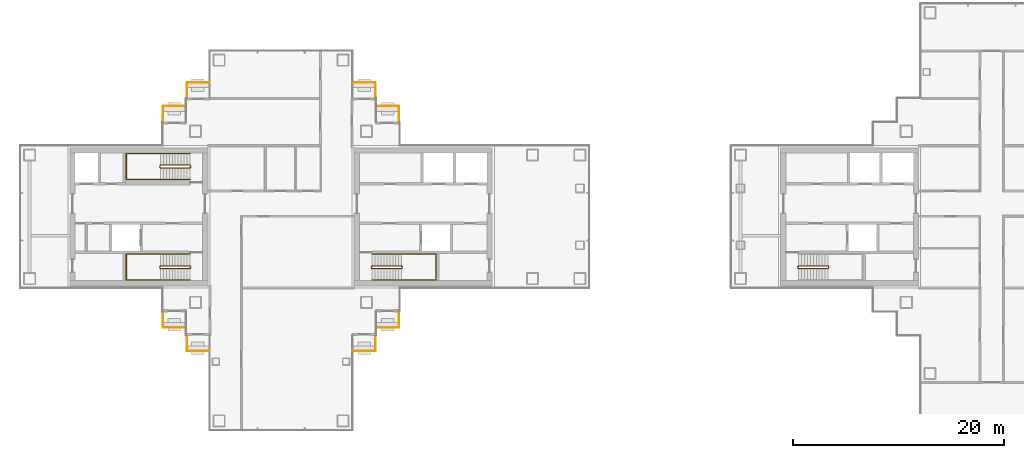
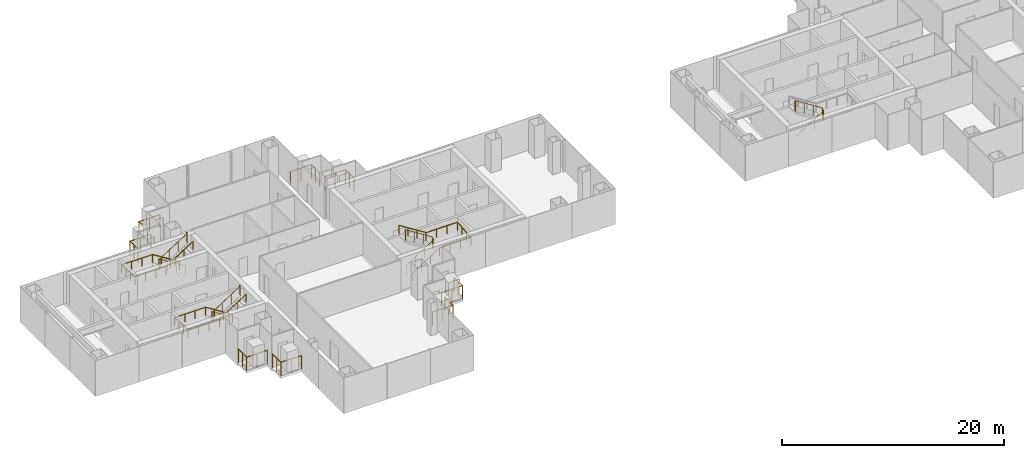
# One storey, part 14 of 16: 15 railings.
"""IFC4 building model written with IfcOpenShell, lengths in metres."""

from ifc_helpers import new_model, si_unit, direction, frame, origin, origin_2d, place, context, subcontext, project, spatial, circle, extrude, material, type_object, element, save


model = new_model("IFC4")

# Units and contexts
model_context = context("Model", 3, precision=1e-05, world=origin(), true_north=direction((0.0, 1.0)))
body_context = subcontext(model_context, "Body", "Model", "MODEL_VIEW")
ifc_project = project(units=[si_unit("LENGTHUNIT", "METRE"), si_unit("AREAUNIT", "SQUARE_METRE"), si_unit("VOLUMEUNIT", "CUBIC_METRE"), si_unit("PLANEANGLEUNIT", "RADIAN"), si_unit("MASSUNIT", "GRAM", prefix="KILO")], contexts=[model_context])

# Site, building, storey
site_placement = place(None, origin())
site = spatial("IfcSite", under=ifc_project, at=site_placement, CompositionType="ELEMENT")
building_placement = place(site_placement, origin())
building = spatial("IfcBuilding", under=site, at=building_placement, Name="Shamsa Quay Exchange Towers", CompositionType="ELEMENT")
storey_placement = place(building_placement, frame((0.0, 0.0, 150.60009765625)))
storey = spatial("IfcBuildingStorey", under=building, at=storey_placement, Name="L35", CompositionType="ELEMENT", Elevation=150.60009765625)

# Railings
ifc_material_1 = material(Name="Steel S355, black powder-coated", Category="steel")
railing_type_1 = type_object("IfcRailingType", Name="BALCONY GUARD 1500", PredefinedType="GUARDRAIL", material=ifc_material_1)
for number, where, name in (
    (1, (-22.550048828125, 9.02099609375, 0.0), "Balcony guard T1-PKEN L35"),
    (2, (-24.800048828125, 11.27099609375, 0.0), "Balcony guard T1-PKEN L35"),
):
    element("IfcRailing", number, at=place(storey_placement, frame(where)), inside=storey, type_object=railing_type_1, Name=name, PredefinedType="GUARDRAIL", context=body_context, shape_type="SweptSolid", body=[
        extrude(circle(Radius=0.02392578125, at=origin_2d()), frame((0.0, 0.0, 1.47607421875), z_axis=(0.0, 1.0, 0.0), x_axis=(-1.0, 0.0, 0.0)), (0.0, 0.0, 1.0), 1.47900390625),
        extrude(circle(Radius=0.02392578125, at=origin_2d()), frame((0.0, 1.47900390625, 1.47607421875), z_axis=(-1.0, 0.0, 0.0), x_axis=(0.0, -1.0, 0.0)), (0.0, 0.0, 1.0), 2.161865234375),
        extrude(circle(Radius=0.02099609375, at=origin_2d()), origin(), (0.0, 0.0, 1.0), 1.451904296875),
        extrude(circle(Radius=0.02099609375, at=origin_2d()), frame((0.0, 0.739501953125, 0.0)), (0.0, 0.0, 1.0), 1.451904296875),
        extrude(circle(Radius=0.02099609375, at=origin_2d()), frame((0.0, 1.47900390625, 0.0)), (0.0, 0.0, 1.0), 1.451904296875),
        extrude(circle(Radius=0.02099609375, at=origin_2d()), frame((-1.0810546875, 1.47900390625, 0.0)), (0.0, 0.0, 1.0), 1.451904296875),
        extrude(circle(Radius=0.02099609375, at=origin_2d()), frame((-2.161865234375, 1.47900390625, 0.0)), (0.0, 0.0, 1.0), 1.451904296875),
    ])
for number, where, name in (
    (3, (-24.7119140625, -10.5, 0.0), "Balcony guard T1-PKES L35"),
    (4, (-26.9619140625, -12.75, 0.0), "Balcony guard T1-PKES L35"),
):
    element("IfcRailing", number, at=place(storey_placement, frame(where)), inside=storey, type_object=railing_type_1, Name=name, PredefinedType="GUARDRAIL", context=body_context, shape_type="SweptSolid", body=[
        extrude(circle(Radius=0.02392578125, at=origin_2d()), frame((0.0, 0.0, 1.47607421875), z_axis=(1.0, 0.0, 0.0), x_axis=(0.0, 1.0, 0.0)), (0.0, 0.0, 1.0), 2.161865234375),
        extrude(circle(Radius=0.02392578125, at=origin_2d()), frame((2.161865234375, 0.0, 1.47607421875), z_axis=(0.0, 1.0, 0.0), x_axis=(-1.0, 0.0, 0.0)), (0.0, 0.0, 1.0), 1.47900390625),
        extrude(circle(Radius=0.02099609375, at=origin_2d()), origin(), (0.0, 0.0, 1.0), 1.451904296875),
        extrude(circle(Radius=0.02099609375, at=origin_2d()), frame((1.0810546875, 0.0, 0.0)), (0.0, 0.0, 1.0), 1.451904296875),
        extrude(circle(Radius=0.02099609375, at=origin_2d()), frame((2.161865234375, 0.0, 0.0)), (0.0, 0.0, 1.0), 1.451904296875),
        extrude(circle(Radius=0.02099609375, at=origin_2d()), frame((2.161865234375, 0.739501953125, 0.0)), (0.0, 0.0, 1.0), 1.451904296875),
        extrude(circle(Radius=0.02099609375, at=origin_2d()), frame((2.161865234375, 1.47900390625, 0.0)), (0.0, 0.0, 1.0), 1.451904296875),
    ])
for number, where, name in (
    (5, (-40.5380859375, 12.75, 0.0), "Balcony guard T1-PKWN L35"),
    (6, (-42.7880859375, 10.5, 0.0), "Balcony guard T1-PKWN L35"),
):
    element("IfcRailing", number, at=place(storey_placement, frame(where)), inside=storey, type_object=railing_type_1, Name=name, PredefinedType="GUARDRAIL", context=body_context, shape_type="SweptSolid", body=[
        extrude(circle(Radius=0.02392578125, at=origin_2d()), frame((0.0, 0.0, 1.47607421875), z_axis=(-1.0, 0.0, 0.0), x_axis=(0.0, -1.0, 0.0)), (0.0, 0.0, 1.0), 2.161865234375),
        extrude(circle(Radius=0.02392578125, at=origin_2d()), frame((-2.161865234375, 0.0, 1.47607421875), z_axis=(0.0, -1.0, 0.0), x_axis=(1.0, 0.0, 0.0)), (0.0, 0.0, 1.0), 1.47900390625),
        extrude(circle(Radius=0.02099609375, at=origin_2d()), origin(), (0.0, 0.0, 1.0), 1.451904296875),
        extrude(circle(Radius=0.02099609375, at=origin_2d()), frame((-1.0810546875, 0.0, 0.0)), (0.0, 0.0, 1.0), 1.451904296875),
        extrude(circle(Radius=0.02099609375, at=origin_2d()), frame((-2.161865234375, 0.0, 0.0)), (0.0, 0.0, 1.0), 1.451904296875),
        extrude(circle(Radius=0.02099609375, at=origin_2d()), frame((-2.161865234375, -0.739501953125, 0.0)), (0.0, 0.0, 1.0), 1.451904296875),
        extrude(circle(Radius=0.02099609375, at=origin_2d()), frame((-2.161865234375, -1.47900390625, 0.0)), (0.0, 0.0, 1.0), 1.451904296875),
    ])
for number, where, name in (
    (7, (-44.949951171875, -9.02099609375, 0.0), "Balcony guard T1-PKWS L35"),
    (8, (-42.699951171875, -11.27099609375, 0.0), "Balcony guard T1-PKWS L35"),
):
    element("IfcRailing", number, at=place(storey_placement, frame(where)), inside=storey, type_object=railing_type_1, Name=name, PredefinedType="GUARDRAIL", context=body_context, shape_type="SweptSolid", body=[
        extrude(circle(Radius=0.02392578125, at=origin_2d()), frame((0.0, 0.0, 1.47607421875), z_axis=(0.0, -1.0, 0.0), x_axis=(1.0, 0.0, 0.0)), (0.0, 0.0, 1.0), 1.47900390625),
        extrude(circle(Radius=0.02392578125, at=origin_2d()), frame((0.0, -1.47900390625, 1.47607421875), z_axis=(1.0, 0.0, 0.0), x_axis=(0.0, 1.0, 0.0)), (0.0, 0.0, 1.0), 2.161865234375),
        extrude(circle(Radius=0.02099609375, at=origin_2d()), origin(), (0.0, 0.0, 1.0), 1.451904296875),
        extrude(circle(Radius=0.02099609375, at=origin_2d()), frame((0.0, -0.739501953125, 0.0)), (0.0, 0.0, 1.0), 1.451904296875),
        extrude(circle(Radius=0.02099609375, at=origin_2d()), frame((0.0, -1.47900390625, 0.0)), (0.0, 0.0, 1.0), 1.451904296875),
        extrude(circle(Radius=0.02099609375, at=origin_2d()), frame((1.0810546875, -1.47900390625, 0.0)), (0.0, 0.0, 1.0), 1.451904296875),
        extrude(circle(Radius=0.02099609375, at=origin_2d()), frame((2.161865234375, -1.47900390625, 0.0)), (0.0, 0.0, 1.0), 1.451904296875),
    ])
ifc_material_2 = material(Name="Stainless steel", Category="steel")
railing_type_2 = type_object("IfcRailingType", Name="STAIR GUARD 1100", PredefinedType="GUARDRAIL", material=ifc_material_2)
railing_1_placement = place(storey_placement, frame((-25.10009765625, -4.89990234375, 0.17724609375)))
element("IfcRailing", 9, at=railing_1_placement, inside=storey, type_object=railing_type_2, Name="L35 ST1 stair guard 1", PredefinedType="GUARDRAIL", context=body_context, shape_type="SweptSolid", body=[
    extrude(circle(Radius=0.02392578125, at=origin_2d()), frame((0.0, 0.0, 1.076171875), z_axis=(0.844908973607, 0.0, 0.534910110503), x_axis=(0.0, 1.0, 0.0)), (0.0, 0.0, 1.0), 3.31396484375),
    extrude(circle(Radius=0.02392578125, at=origin_2d()), frame((2.800048828125, 0.0, 2.8486328125), z_axis=(0.708833529934, 0.705375805398, 0.0), x_axis=(-0.705375805398, 0.708833529934, 0.0)), (0.0, 0.0, 1.0), 0.070556640625),
    extrude(circle(Radius=0.02392578125, at=origin_2d()), frame((2.85009765625, 0.0498046875, 2.8486328125), z_axis=(0.0, 1.0, 0.0), x_axis=(-1.0, 0.0, 0.0)), (0.0, 0.0, 1.0), 0.150146484375),
    extrude(circle(Radius=0.02392578125, at=origin_2d()), frame((2.85009765625, 0.199951171875, 2.8486328125), z_axis=(-0.262233686654, 0.262233686654, 0.928691007369), x_axis=(-0.707106781187, -0.707106781187, 0.0)), (0.0, 0.0, 1.0), 0.19091796875),
    extrude(circle(Radius=0.02392578125, at=origin_2d()), frame((2.800048828125, 0.25, 3.02587890625), z_axis=(-0.844908973607, 0.0, 0.534910110503), x_axis=(0.0, -1.0, 0.0)), (0.0, 0.0, 1.0), 3.31396484375),
    extrude(circle(Radius=0.02392578125, at=origin_2d()), frame((0.0, 0.25, 4.798828125), z_axis=(-0.24142163986, -0.970420317083, 0.0), x_axis=(0.970420317083, -0.24142163986, 0.0)), (0.0, 0.0, 1.0), 0.206298828125),
    extrude(circle(Radius=0.02392578125, at=origin_2d()), frame((-0.0498046875, 0.0498046875, 4.798828125), z_axis=(0.0, 1.0, 0.0), x_axis=(-1.0, 0.0, 0.0)), (0.0, 0.0, 1.0), 0.150146484375),
    extrude(circle(Radius=0.02099609375, at=origin_2d()), origin(), (0.0, 0.0, 1.0), 1.052001953125),
    extrude(circle(Radius=0.02099609375, at=origin_2d()), frame((0.933349609375, 0.0, 0.5908203125)), (0.0, 0.0, 1.0), 1.052001953125),
    extrude(circle(Radius=0.02099609375, at=origin_2d()), frame((1.86669921875, 0.0, 1.181884765625)), (0.0, 0.0, 1.0), 1.052001953125),
    extrude(circle(Radius=0.02099609375, at=origin_2d()), frame((2.800048828125, 0.0, 1.772705078125)), (0.0, 0.0, 1.0), 1.052001953125),
    extrude(circle(Radius=0.02099609375, at=origin_2d()), frame((2.85009765625, 0.0498046875, 1.772705078125)), (0.0, 0.0, 1.0), 1.052001953125),
    extrude(circle(Radius=0.02099609375, at=origin_2d()), frame((2.85009765625, 0.199951171875, 1.772705078125)), (0.0, 0.0, 1.0), 1.052001953125),
    extrude(circle(Radius=0.02099609375, at=origin_2d()), frame((2.800048828125, 0.25, 1.949951171875)), (0.0, 0.0, 1.0), 1.052001953125),
    extrude(circle(Radius=0.02099609375, at=origin_2d()), frame((1.86669921875, 0.25, 2.540771484375)), (0.0, 0.0, 1.0), 1.052001953125),
    extrude(circle(Radius=0.02099609375, at=origin_2d()), frame((0.933349609375, 0.25, 3.1318359375)), (0.0, 0.0, 1.0), 1.052001953125),
    extrude(circle(Radius=0.02099609375, at=origin_2d()), frame((0.0, 0.25, 3.72265625)), (0.0, 0.0, 1.0), 1.052001953125),
    extrude(circle(Radius=0.02099609375, at=origin_2d()), frame((-0.0498046875, 0.0498046875, 3.72265625)), (0.0, 0.0, 1.0), 1.052001953125),
    extrude(circle(Radius=0.02099609375, at=origin_2d()), frame((-0.0498046875, 0.199951171875, 3.72265625)), (0.0, 0.0, 1.0), 1.052001953125),
])
railing_2_placement = place(storey_placement, frame((-42.39990234375, -4.64990234375, 0.17724609375)))
element("IfcRailing", 10, at=railing_2_placement, inside=storey, type_object=railing_type_2, Name="L35 ST2 stair guard 1", PredefinedType="GUARDRAIL", context=body_context, shape_type="SweptSolid", body=[
    extrude(circle(Radius=0.02392578125, at=origin_2d()), frame((0.0, 0.0, 1.076171875), z_axis=(-0.844908973607, 0.0, 0.534910110503), x_axis=(0.0, -1.0, 0.0)), (0.0, 0.0, 1.0), 3.31396484375),
    extrude(circle(Radius=0.02392578125, at=origin_2d()), frame((-2.800048828125, 0.0, 2.8486328125), z_axis=(-0.707106781187, -0.707106781187, 0.0), x_axis=(0.707106781187, -0.707106781187, 0.0)), (0.0, 0.0, 1.0), 0.07080078125),
    extrude(circle(Radius=0.02392578125, at=origin_2d()), frame((-2.85009765625, -0.050048828125, 2.8486328125), z_axis=(0.0, -1.0, 0.0), x_axis=(1.0, 0.0, 0.0)), (0.0, 0.0, 1.0), 0.150146484375),
    extrude(circle(Radius=0.02392578125, at=origin_2d()), frame((-2.85009765625, -0.2001953125, 2.8486328125), z_axis=(0.262321481514, -0.261041864531, 0.929001929653), x_axis=(0.705375805398, 0.708833529934, 0.0)), (0.0, 0.0, 1.0), 0.190673828125),
    extrude(circle(Radius=0.02392578125, at=origin_2d()), frame((-2.800048828125, -0.25, 3.02587890625), z_axis=(0.844908973607, 0.0, 0.534910110503), x_axis=(0.0, 1.0, 0.0)), (0.0, 0.0, 1.0), 3.31396484375),
    extrude(circle(Radius=0.02392578125, at=origin_2d()), frame((0.0, -0.25, 4.798828125), z_axis=(0.241699205484, 0.970351222016, 0.0), x_axis=(-0.970351222016, 0.241699205484, 0.0)), (0.0, 0.0, 1.0), 0.2060546875),
    extrude(circle(Radius=0.02392578125, at=origin_2d()), frame((0.0498046875, -0.050048828125, 4.798828125), z_axis=(0.0, -1.0, 0.0), x_axis=(1.0, 0.0, 0.0)), (0.0, 0.0, 1.0), 0.150146484375),
    extrude(circle(Radius=0.02099609375, at=origin_2d()), origin(), (0.0, 0.0, 1.0), 1.052001953125),
    extrude(circle(Radius=0.02099609375, at=origin_2d()), frame((-0.933349609375, 0.0, 0.5908203125)), (0.0, 0.0, 1.0), 1.052001953125),
    extrude(circle(Radius=0.02099609375, at=origin_2d()), frame((-1.86669921875, 0.0, 1.181884765625)), (0.0, 0.0, 1.0), 1.052001953125),
    extrude(circle(Radius=0.02099609375, at=origin_2d()), frame((-2.800048828125, 0.0, 1.772705078125)), (0.0, 0.0, 1.0), 1.052001953125),
    extrude(circle(Radius=0.02099609375, at=origin_2d()), frame((-2.85009765625, -0.050048828125, 1.772705078125)), (0.0, 0.0, 1.0), 1.052001953125),
    extrude(circle(Radius=0.02099609375, at=origin_2d()), frame((-2.85009765625, -0.2001953125, 1.772705078125)), (0.0, 0.0, 1.0), 1.052001953125),
    extrude(circle(Radius=0.02099609375, at=origin_2d()), frame((-2.800048828125, -0.25, 1.949951171875)), (0.0, 0.0, 1.0), 1.052001953125),
    extrude(circle(Radius=0.02099609375, at=origin_2d()), frame((-1.86669921875, -0.25, 2.540771484375)), (0.0, 0.0, 1.0), 1.052001953125),
    extrude(circle(Radius=0.02099609375, at=origin_2d()), frame((-0.933349609375, -0.25, 3.1318359375)), (0.0, 0.0, 1.0), 1.052001953125),
    extrude(circle(Radius=0.02099609375, at=origin_2d()), frame((0.0, -0.25, 3.72265625)), (0.0, 0.0, 1.0), 1.052001953125),
    extrude(circle(Radius=0.02099609375, at=origin_2d()), frame((0.0498046875, -0.050048828125, 3.72265625)), (0.0, 0.0, 1.0), 1.052001953125),
    extrude(circle(Radius=0.02099609375, at=origin_2d()), frame((0.0498046875, -0.2001953125, 3.72265625)), (0.0, 0.0, 1.0), 1.052001953125),
])
railing_3_placement = place(storey_placement, frame((-42.39990234375, 4.89990234375, 0.17724609375)))
element("IfcRailing", 11, at=railing_3_placement, inside=storey, type_object=railing_type_2, Name="L35 ST3 stair guard 1", PredefinedType="GUARDRAIL", context=body_context, shape_type="SweptSolid", body=[
    extrude(circle(Radius=0.02392578125, at=origin_2d()), frame((0.0, 0.0, 1.076171875), z_axis=(-0.844908973607, 0.0, 0.534910110503), x_axis=(0.0, -1.0, 0.0)), (0.0, 0.0, 1.0), 3.31396484375),
    extrude(circle(Radius=0.02392578125, at=origin_2d()), frame((-2.800048828125, 0.0, 2.8486328125), z_axis=(-0.708833529934, -0.705375805398, 0.0), x_axis=(0.705375805398, -0.708833529934, 0.0)), (0.0, 0.0, 1.0), 0.070556640625),
    extrude(circle(Radius=0.02392578125, at=origin_2d()), frame((-2.85009765625, -0.0498046875, 2.8486328125), z_axis=(0.0, -1.0, 0.0), x_axis=(1.0, 0.0, 0.0)), (0.0, 0.0, 1.0), 0.150146484375),
    extrude(circle(Radius=0.02392578125, at=origin_2d()), frame((-2.85009765625, -0.199951171875, 2.8486328125), z_axis=(0.262233686654, -0.262233686654, 0.928691007369), x_axis=(0.707106781187, 0.707106781187, 0.0)), (0.0, 0.0, 1.0), 0.19091796875),
    extrude(circle(Radius=0.02392578125, at=origin_2d()), frame((-2.800048828125, -0.25, 3.02587890625), z_axis=(0.844908973607, 0.0, 0.534910110503), x_axis=(0.0, 1.0, 0.0)), (0.0, 0.0, 1.0), 3.31396484375),
    extrude(circle(Radius=0.02392578125, at=origin_2d()), frame((0.0, -0.25, 4.798828125), z_axis=(0.24142163986, 0.970420317083, 0.0), x_axis=(-0.970420317083, 0.24142163986, 0.0)), (0.0, 0.0, 1.0), 0.206298828125),
    extrude(circle(Radius=0.02392578125, at=origin_2d()), frame((0.0498046875, -0.0498046875, 4.798828125), z_axis=(0.0, -1.0, 0.0), x_axis=(1.0, 0.0, 0.0)), (0.0, 0.0, 1.0), 0.150146484375),
    extrude(circle(Radius=0.02099609375, at=origin_2d()), origin(), (0.0, 0.0, 1.0), 1.052001953125),
    extrude(circle(Radius=0.02099609375, at=origin_2d()), frame((-0.933349609375, 0.0, 0.5908203125)), (0.0, 0.0, 1.0), 1.052001953125),
    extrude(circle(Radius=0.02099609375, at=origin_2d()), frame((-1.86669921875, 0.0, 1.181884765625)), (0.0, 0.0, 1.0), 1.052001953125),
    extrude(circle(Radius=0.02099609375, at=origin_2d()), frame((-2.800048828125, 0.0, 1.772705078125)), (0.0, 0.0, 1.0), 1.052001953125),
    extrude(circle(Radius=0.02099609375, at=origin_2d()), frame((-2.85009765625, -0.0498046875, 1.772705078125)), (0.0, 0.0, 1.0), 1.052001953125),
    extrude(circle(Radius=0.02099609375, at=origin_2d()), frame((-2.85009765625, -0.199951171875, 1.772705078125)), (0.0, 0.0, 1.0), 1.052001953125),
    extrude(circle(Radius=0.02099609375, at=origin_2d()), frame((-2.800048828125, -0.25, 1.949951171875)), (0.0, 0.0, 1.0), 1.052001953125),
    extrude(circle(Radius=0.02099609375, at=origin_2d()), frame((-1.86669921875, -0.25, 2.540771484375)), (0.0, 0.0, 1.0), 1.052001953125),
    extrude(circle(Radius=0.02099609375, at=origin_2d()), frame((-0.933349609375, -0.25, 3.1318359375)), (0.0, 0.0, 1.0), 1.052001953125),
    extrude(circle(Radius=0.02099609375, at=origin_2d()), frame((0.0, -0.25, 3.72265625)), (0.0, 0.0, 1.0), 1.052001953125),
    extrude(circle(Radius=0.02099609375, at=origin_2d()), frame((0.0498046875, -0.0498046875, 3.72265625)), (0.0, 0.0, 1.0), 1.052001953125),
    extrude(circle(Radius=0.02099609375, at=origin_2d()), frame((0.0498046875, -0.199951171875, 3.72265625)), (0.0, 0.0, 1.0), 1.052001953125),
])
railing_4_placement = place(storey_placement, frame((15.39990234375, -4.89990234375, 0.17724609375)))
element("IfcRailing", 12, at=railing_4_placement, inside=storey, type_object=railing_type_2, Name="L35 ST4 stair guard 1", PredefinedType="GUARDRAIL", context=body_context, shape_type="SweptSolid", body=[
    extrude(circle(Radius=0.02392578125, at=origin_2d()), frame((0.0, 0.0, 1.076171875), z_axis=(0.844908973607, 0.0, 0.534910110503), x_axis=(0.0, 1.0, 0.0)), (0.0, 0.0, 1.0), 3.31396484375),
    extrude(circle(Radius=0.02392578125, at=origin_2d()), frame((2.800048828125, 0.0, 2.8486328125), z_axis=(0.708833529934, 0.705375805398, 0.0), x_axis=(-0.705375805398, 0.708833529934, 0.0)), (0.0, 0.0, 1.0), 0.070556640625),
    extrude(circle(Radius=0.02392578125, at=origin_2d()), frame((2.85009765625, 0.0498046875, 2.8486328125), z_axis=(0.0, 1.0, 0.0), x_axis=(-1.0, 0.0, 0.0)), (0.0, 0.0, 1.0), 0.150146484375),
    extrude(circle(Radius=0.02392578125, at=origin_2d()), frame((2.85009765625, 0.199951171875, 2.8486328125), z_axis=(-0.262233686654, 0.262233686654, 0.928691007369), x_axis=(-0.707106781187, -0.707106781187, 0.0)), (0.0, 0.0, 1.0), 0.19091796875),
    extrude(circle(Radius=0.02392578125, at=origin_2d()), frame((2.800048828125, 0.25, 3.02587890625), z_axis=(-0.844908973607, 0.0, 0.534910110503), x_axis=(0.0, -1.0, 0.0)), (0.0, 0.0, 1.0), 3.31396484375),
    extrude(circle(Radius=0.02392578125, at=origin_2d()), frame((0.0, 0.25, 4.798828125), z_axis=(-0.24142163986, -0.970420317083, 0.0), x_axis=(0.970420317083, -0.24142163986, 0.0)), (0.0, 0.0, 1.0), 0.206298828125),
    extrude(circle(Radius=0.02392578125, at=origin_2d()), frame((-0.0498046875, 0.0498046875, 4.798828125), z_axis=(0.0, 1.0, 0.0), x_axis=(-1.0, 0.0, 0.0)), (0.0, 0.0, 1.0), 0.150146484375),
    extrude(circle(Radius=0.02099609375, at=origin_2d()), origin(), (0.0, 0.0, 1.0), 1.052001953125),
    extrude(circle(Radius=0.02099609375, at=origin_2d()), frame((0.933349609375, 0.0, 0.5908203125)), (0.0, 0.0, 1.0), 1.052001953125),
    extrude(circle(Radius=0.02099609375, at=origin_2d()), frame((1.86669921875, 0.0, 1.181884765625)), (0.0, 0.0, 1.0), 1.052001953125),
    extrude(circle(Radius=0.02099609375, at=origin_2d()), frame((2.800048828125, 0.0, 1.772705078125)), (0.0, 0.0, 1.0), 1.052001953125),
    extrude(circle(Radius=0.02099609375, at=origin_2d()), frame((2.85009765625, 0.0498046875, 1.772705078125)), (0.0, 0.0, 1.0), 1.052001953125),
    extrude(circle(Radius=0.02099609375, at=origin_2d()), frame((2.85009765625, 0.199951171875, 1.772705078125)), (0.0, 0.0, 1.0), 1.052001953125),
    extrude(circle(Radius=0.02099609375, at=origin_2d()), frame((2.800048828125, 0.25, 1.949951171875)), (0.0, 0.0, 1.0), 1.052001953125),
    extrude(circle(Radius=0.02099609375, at=origin_2d()), frame((1.86669921875, 0.25, 2.540771484375)), (0.0, 0.0, 1.0), 1.052001953125),
    extrude(circle(Radius=0.02099609375, at=origin_2d()), frame((0.933349609375, 0.25, 3.1318359375)), (0.0, 0.0, 1.0), 1.052001953125),
    extrude(circle(Radius=0.02099609375, at=origin_2d()), frame((0.0, 0.25, 3.72265625)), (0.0, 0.0, 1.0), 1.052001953125),
    extrude(circle(Radius=0.02099609375, at=origin_2d()), frame((-0.0498046875, 0.0498046875, 3.72265625)), (0.0, 0.0, 1.0), 1.052001953125),
    extrude(circle(Radius=0.02099609375, at=origin_2d()), frame((-0.0498046875, 0.199951171875, 3.72265625)), (0.0, 0.0, 1.0), 1.052001953125),
])
railing_type_3 = type_object("IfcRailingType", Name="STAIR HANDRAIL 900", PredefinedType="HANDRAIL", material=ifc_material_2)
railing_5_placement = place(storey_placement, frame((-25.10009765625, -6.0, 0.17724609375)))
element("IfcRailing", 13, at=railing_5_placement, inside=storey, type_object=railing_type_3, Name="L35 ST1 stair handrail 1", PredefinedType="HANDRAIL", context=body_context, shape_type="SweptSolid", body=[
    extrude(circle(Radius=0.02392578125, at=origin_2d()), frame((0.0, 0.0, 0.8759765625), z_axis=(0.844908973607, 0.0, 0.534910110503), x_axis=(0.0, 1.0, 0.0)), (0.0, 0.0, 1.0), 3.31396484375),
    extrude(circle(Radius=0.02392578125, at=origin_2d()), frame((2.800048828125, 0.0, 2.6484375), z_axis=(1.0, 0.0, 0.0), x_axis=(0.0, 1.0, 0.0)), (0.0, 0.0, 1.0), 3.25),
    extrude(circle(Radius=0.02392578125, at=origin_2d()), frame((6.050048828125, 0.0, 2.6484375), z_axis=(0.0, 0.997393199914, 0.07215819264), x_axis=(-1.0, 0.0, 0.0)), (0.0, 0.0, 1.0), 2.456298828125),
    extrude(circle(Radius=0.02392578125, at=origin_2d()), frame((6.050048828125, 2.449951171875, 2.82568359375), z_axis=(-1.0, 0.0, 0.0), x_axis=(0.0, -1.0, 0.0)), (0.0, 0.0, 1.0), 3.25),
    extrude(circle(Radius=0.02392578125, at=origin_2d()), frame((2.800048828125, 2.449951171875, 2.82568359375), z_axis=(-0.844908973607, 0.0, 0.534910110503), x_axis=(0.0, -1.0, 0.0)), (0.0, 0.0, 1.0), 3.31396484375),
    extrude(circle(Radius=0.02099609375, at=origin_2d()), origin(), (0.0, 0.0, 1.0), 0.851806640625),
    extrude(circle(Radius=0.02099609375, at=origin_2d()), frame((0.933349609375, 0.0, 0.5908203125)), (0.0, 0.0, 1.0), 0.851806640625),
    extrude(circle(Radius=0.02099609375, at=origin_2d()), frame((1.86669921875, 0.0, 1.181884765625)), (0.0, 0.0, 1.0), 0.851806640625),
    extrude(circle(Radius=0.02099609375, at=origin_2d()), frame((2.800048828125, 0.0, 1.772705078125)), (0.0, 0.0, 1.0), 0.851806640625),
    extrude(circle(Radius=0.02099609375, at=origin_2d()), frame((3.88330078125, 0.0, 1.772705078125)), (0.0, 0.0, 1.0), 0.851806640625),
    extrude(circle(Radius=0.02099609375, at=origin_2d()), frame((4.966796875, 0.0, 1.772705078125)), (0.0, 0.0, 1.0), 0.851806640625),
    extrude(circle(Radius=0.02099609375, at=origin_2d()), frame((6.050048828125, 0.0, 1.772705078125)), (0.0, 0.0, 1.0), 0.851806640625),
    extrude(circle(Radius=0.02099609375, at=origin_2d()), frame((6.050048828125, 0.816650390625, 1.831787109375)), (0.0, 0.0, 1.0), 0.851806640625),
    extrude(circle(Radius=0.02099609375, at=origin_2d()), frame((6.050048828125, 1.63330078125, 1.890869140625)), (0.0, 0.0, 1.0), 0.851806640625),
    extrude(circle(Radius=0.02099609375, at=origin_2d()), frame((6.050048828125, 2.449951171875, 1.949951171875)), (0.0, 0.0, 1.0), 0.851806640625),
    extrude(circle(Radius=0.02099609375, at=origin_2d()), frame((4.966796875, 2.449951171875, 1.949951171875)), (0.0, 0.0, 1.0), 0.851806640625),
    extrude(circle(Radius=0.02099609375, at=origin_2d()), frame((3.88330078125, 2.449951171875, 1.949951171875)), (0.0, 0.0, 1.0), 0.851806640625),
    extrude(circle(Radius=0.02099609375, at=origin_2d()), frame((2.800048828125, 2.449951171875, 1.949951171875)), (0.0, 0.0, 1.0), 0.851806640625),
    extrude(circle(Radius=0.02099609375, at=origin_2d()), frame((1.86669921875, 2.449951171875, 2.540771484375)), (0.0, 0.0, 1.0), 0.851806640625),
    extrude(circle(Radius=0.02099609375, at=origin_2d()), frame((0.933349609375, 2.449951171875, 3.1318359375)), (0.0, 0.0, 1.0), 0.851806640625),
    extrude(circle(Radius=0.02099609375, at=origin_2d()), frame((0.0, 2.449951171875, 3.72265625)), (0.0, 0.0, 1.0), 0.851806640625),
])
railing_6_placement = place(storey_placement, frame((-42.39990234375, -3.550048828125, 0.17724609375)))
element("IfcRailing", 14, at=railing_6_placement, inside=storey, type_object=railing_type_3, Name="L35 ST2 stair handrail 1", PredefinedType="HANDRAIL", context=body_context, shape_type="SweptSolid", body=[
    extrude(circle(Radius=0.02392578125, at=origin_2d()), frame((0.0, 0.0, 0.8759765625), z_axis=(-0.844908973607, 0.0, 0.534910110503), x_axis=(0.0, -1.0, 0.0)), (0.0, 0.0, 1.0), 3.31396484375),
    extrude(circle(Radius=0.02392578125, at=origin_2d()), frame((-2.800048828125, 0.0, 2.6484375), z_axis=(-1.0, 0.0, 0.0), x_axis=(0.0, -1.0, 0.0)), (0.0, 0.0, 1.0), 3.25),
    extrude(circle(Radius=0.02392578125, at=origin_2d()), frame((-6.050048828125, 0.0, 2.6484375), z_axis=(0.0, -0.997393199914, 0.07215819264), x_axis=(1.0, 0.0, 0.0)), (0.0, 0.0, 1.0), 2.456298828125),
    extrude(circle(Radius=0.02392578125, at=origin_2d()), frame((-6.050048828125, -2.449951171875, 2.82568359375), z_axis=(1.0, 0.0, 0.0), x_axis=(0.0, 1.0, 0.0)), (0.0, 0.0, 1.0), 3.25),
    extrude(circle(Radius=0.02392578125, at=origin_2d()), frame((-2.800048828125, -2.449951171875, 2.82568359375), z_axis=(0.844908973607, 0.0, 0.534910110503), x_axis=(0.0, 1.0, 0.0)), (0.0, 0.0, 1.0), 3.31396484375),
    extrude(circle(Radius=0.02099609375, at=origin_2d()), origin(), (0.0, 0.0, 1.0), 0.851806640625),
    extrude(circle(Radius=0.02099609375, at=origin_2d()), frame((-0.933349609375, 0.0, 0.5908203125)), (0.0, 0.0, 1.0), 0.851806640625),
    extrude(circle(Radius=0.02099609375, at=origin_2d()), frame((-1.86669921875, 0.0, 1.181884765625)), (0.0, 0.0, 1.0), 0.851806640625),
    extrude(circle(Radius=0.02099609375, at=origin_2d()), frame((-2.800048828125, 0.0, 1.772705078125)), (0.0, 0.0, 1.0), 0.851806640625),
    extrude(circle(Radius=0.02099609375, at=origin_2d()), frame((-3.88330078125, 0.0, 1.772705078125)), (0.0, 0.0, 1.0), 0.851806640625),
    extrude(circle(Radius=0.02099609375, at=origin_2d()), frame((-4.966796875, 0.0, 1.772705078125)), (0.0, 0.0, 1.0), 0.851806640625),
    extrude(circle(Radius=0.02099609375, at=origin_2d()), frame((-6.050048828125, 0.0, 1.772705078125)), (0.0, 0.0, 1.0), 0.851806640625),
    extrude(circle(Radius=0.02099609375, at=origin_2d()), frame((-6.050048828125, -0.816650390625, 1.831787109375)), (0.0, 0.0, 1.0), 0.851806640625),
    extrude(circle(Radius=0.02099609375, at=origin_2d()), frame((-6.050048828125, -1.63330078125, 1.890869140625)), (0.0, 0.0, 1.0), 0.851806640625),
    extrude(circle(Radius=0.02099609375, at=origin_2d()), frame((-6.050048828125, -2.449951171875, 1.949951171875)), (0.0, 0.0, 1.0), 0.851806640625),
    extrude(circle(Radius=0.02099609375, at=origin_2d()), frame((-4.966796875, -2.449951171875, 1.949951171875)), (0.0, 0.0, 1.0), 0.851806640625),
    extrude(circle(Radius=0.02099609375, at=origin_2d()), frame((-3.88330078125, -2.449951171875, 1.949951171875)), (0.0, 0.0, 1.0), 0.851806640625),
    extrude(circle(Radius=0.02099609375, at=origin_2d()), frame((-2.800048828125, -2.449951171875, 1.949951171875)), (0.0, 0.0, 1.0), 0.851806640625),
    extrude(circle(Radius=0.02099609375, at=origin_2d()), frame((-1.86669921875, -2.449951171875, 2.540771484375)), (0.0, 0.0, 1.0), 0.851806640625),
    extrude(circle(Radius=0.02099609375, at=origin_2d()), frame((-0.933349609375, -2.449951171875, 3.1318359375)), (0.0, 0.0, 1.0), 0.851806640625),
    extrude(circle(Radius=0.02099609375, at=origin_2d()), frame((0.0, -2.449951171875, 3.72265625)), (0.0, 0.0, 1.0), 0.851806640625),
])
railing_7_placement = place(storey_placement, frame((-42.39990234375, 6.0, 0.17724609375)))
element("IfcRailing", 15, at=railing_7_placement, inside=storey, type_object=railing_type_3, Name="L35 ST3 stair handrail 1", PredefinedType="HANDRAIL", context=body_context, shape_type="SweptSolid", body=[
    extrude(circle(Radius=0.02392578125, at=origin_2d()), frame((0.0, 0.0, 0.8759765625), z_axis=(-0.844908973607, 0.0, 0.534910110503), x_axis=(0.0, -1.0, 0.0)), (0.0, 0.0, 1.0), 3.31396484375),
    extrude(circle(Radius=0.02392578125, at=origin_2d()), frame((-2.800048828125, 0.0, 2.6484375), z_axis=(-1.0, 0.0, 0.0), x_axis=(0.0, -1.0, 0.0)), (0.0, 0.0, 1.0), 3.25),
    extrude(circle(Radius=0.02392578125, at=origin_2d()), frame((-6.050048828125, 0.0, 2.6484375), z_axis=(0.0, -0.997393199914, 0.07215819264), x_axis=(1.0, 0.0, 0.0)), (0.0, 0.0, 1.0), 2.456298828125),
    extrude(circle(Radius=0.02392578125, at=origin_2d()), frame((-6.050048828125, -2.449951171875, 2.82568359375), z_axis=(1.0, 0.0, 0.0), x_axis=(0.0, 1.0, 0.0)), (0.0, 0.0, 1.0), 3.25),
    extrude(circle(Radius=0.02392578125, at=origin_2d()), frame((-2.800048828125, -2.449951171875, 2.82568359375), z_axis=(0.844908973607, 0.0, 0.534910110503), x_axis=(0.0, 1.0, 0.0)), (0.0, 0.0, 1.0), 3.31396484375),
    extrude(circle(Radius=0.02099609375, at=origin_2d()), origin(), (0.0, 0.0, 1.0), 0.851806640625),
    extrude(circle(Radius=0.02099609375, at=origin_2d()), frame((-0.933349609375, 0.0, 0.5908203125)), (0.0, 0.0, 1.0), 0.851806640625),
    extrude(circle(Radius=0.02099609375, at=origin_2d()), frame((-1.86669921875, 0.0, 1.181884765625)), (0.0, 0.0, 1.0), 0.851806640625),
    extrude(circle(Radius=0.02099609375, at=origin_2d()), frame((-2.800048828125, 0.0, 1.772705078125)), (0.0, 0.0, 1.0), 0.851806640625),
    extrude(circle(Radius=0.02099609375, at=origin_2d()), frame((-3.88330078125, 0.0, 1.772705078125)), (0.0, 0.0, 1.0), 0.851806640625),
    extrude(circle(Radius=0.02099609375, at=origin_2d()), frame((-4.966796875, 0.0, 1.772705078125)), (0.0, 0.0, 1.0), 0.851806640625),
    extrude(circle(Radius=0.02099609375, at=origin_2d()), frame((-6.050048828125, 0.0, 1.772705078125)), (0.0, 0.0, 1.0), 0.851806640625),
    extrude(circle(Radius=0.02099609375, at=origin_2d()), frame((-6.050048828125, -0.816650390625, 1.831787109375)), (0.0, 0.0, 1.0), 0.851806640625),
    extrude(circle(Radius=0.02099609375, at=origin_2d()), frame((-6.050048828125, -1.63330078125, 1.890869140625)), (0.0, 0.0, 1.0), 0.851806640625),
    extrude(circle(Radius=0.02099609375, at=origin_2d()), frame((-6.050048828125, -2.449951171875, 1.949951171875)), (0.0, 0.0, 1.0), 0.851806640625),
    extrude(circle(Radius=0.02099609375, at=origin_2d()), frame((-4.966796875, -2.449951171875, 1.949951171875)), (0.0, 0.0, 1.0), 0.851806640625),
    extrude(circle(Radius=0.02099609375, at=origin_2d()), frame((-3.88330078125, -2.449951171875, 1.949951171875)), (0.0, 0.0, 1.0), 0.851806640625),
    extrude(circle(Radius=0.02099609375, at=origin_2d()), frame((-2.800048828125, -2.449951171875, 1.949951171875)), (0.0, 0.0, 1.0), 0.851806640625),
    extrude(circle(Radius=0.02099609375, at=origin_2d()), frame((-1.86669921875, -2.449951171875, 2.540771484375)), (0.0, 0.0, 1.0), 0.851806640625),
    extrude(circle(Radius=0.02099609375, at=origin_2d()), frame((-0.933349609375, -2.449951171875, 3.1318359375)), (0.0, 0.0, 1.0), 0.851806640625),
    extrude(circle(Radius=0.02099609375, at=origin_2d()), frame((0.0, -2.449951171875, 3.72265625)), (0.0, 0.0, 1.0), 0.851806640625),
])

save(model, "model.ifc")
